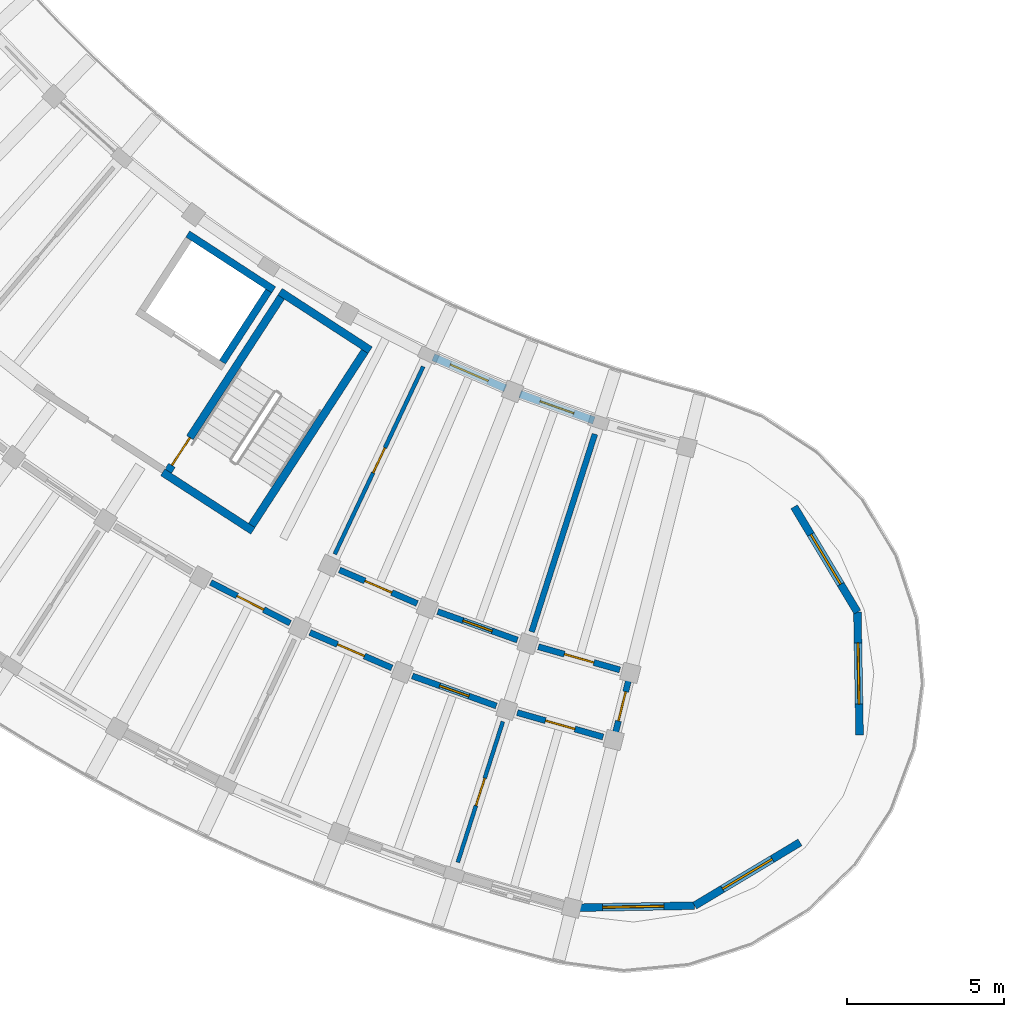
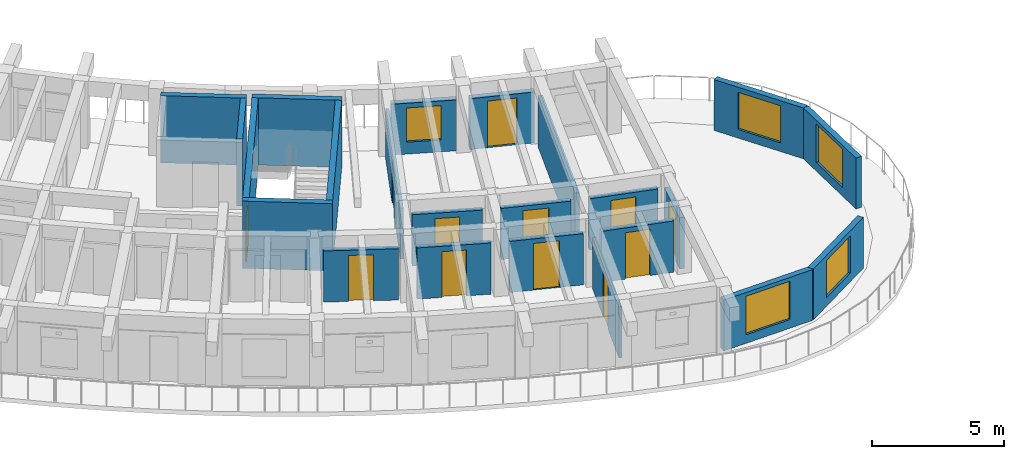
# One storey, part 29 of 69: 23 walls, 12 doors, 5 windows, 17 openings.
"""IFC4 building model written with IfcOpenShell, lengths in metres."""

from ifc_helpers import new_model, si_unit, direction, frame, frame_2d, origin, place, context, subcontext, project, spatial, rectangle, extrude, material, layer, layer_set, type_object, element, fill, save


model = new_model("IFC4")

# Units and contexts
model_context = context("Model", 3, precision=1e-05, world=origin(), true_north=direction((0.0, 1.0)))
body_context = subcontext(model_context, "Body", "Model", "MODEL_VIEW")
ifc_project = project(units=[si_unit("LENGTHUNIT", "METRE"), si_unit("AREAUNIT", "SQUARE_METRE"), si_unit("VOLUMEUNIT", "CUBIC_METRE"), si_unit("PLANEANGLEUNIT", "RADIAN"), si_unit("MASSUNIT", "GRAM", prefix="KILO")], contexts=[model_context])

# Site, building, storey
site_placement = place(None, origin())
site = spatial("IfcSite", under=ifc_project, at=site_placement, CompositionType="ELEMENT")
building_placement = place(site_placement, origin())
building = spatial("IfcBuilding", under=site, at=building_placement, Name="Tanwirah Colonnade Gardens", CompositionType="ELEMENT")
storey_placement = place(building_placement, frame((0.0, 0.0, 15.56005859375)))
storey = spatial("IfcBuildingStorey", under=building, at=storey_placement, Name="L04", CompositionType="ELEMENT", Elevation=15.56005859375)

# Wall, opening, window
ifc_material_1 = material(Name="Limestone architectural precast concrete C40/50", Category="masonry")
ifc_layer_1 = layer(ifc_material_1, 0.2451171875)
ifc_layer_set_1 = layer_set([ifc_layer_1], Name="Limestone architectural precast concrete C40/50")
wall_type_1 = type_object("IfcWallType", Name="EW-PC245", PredefinedType="SOLIDWALL", material=ifc_layer_set_1)
wall_1_placement = place(storey_placement, frame((46.185791015625, 24.2333984375, 0.0), z_axis=(0.0, 0.0, 1.0), x_axis=(0.91795321239, -0.396688668686, 0.0)))
wall_1 = element("IfcWall", 1, at=wall_1_placement, inside=storey, type_object=wall_type_1, Name="Block C L04 IN Precast Facade Wall 13", PredefinedType="SOLIDWALL", context=body_context, shape_type="SweptSolid", body=[
    extrude(rectangle(XDim=2.498779296875, YDim=0.2451171875, at=frame_2d((1.24951171875, 0.0))), origin(), (0.0, 0.0, 1.0), 2.35498046875),
])
opening_1_placement = place(wall_1_placement, frame((0.58935546875, 0.0, 0.550048828125)))
opening_1 = element("IfcOpeningElement", 2, at=opening_1_placement, cuts=wall_1, Name="Opening WIN-U05", PredefinedType="OPENING", context=body_context, shape_type="SweptSolid", body=[
    extrude(rectangle(XDim=1.320068359375, YDim=1.5849609375, at=frame_2d((0.66015625, 0.79248046875))), frame((0.0, 0.132568359375, 0.0), z_axis=(0.0, -1.0, 0.0), x_axis=(1.0, 0.0, 0.0)), (0.0, 0.0, 1.0), 0.26513671875),
])
ifc_material_2 = material(Name="Thermally broken bronze aluminium and solar low-E double glazing", Category="aluminium")
window_type_1 = type_object("IfcWindowType", Name="WIN-U05", PartitioningType="DOUBLE_PANEL_VERTICAL", PredefinedType="WINDOW", material=ifc_material_2)
window_1_placement = place(opening_1_placement, origin())
window_1 = element("IfcWindow", 3, at=window_1_placement, inside=storey, type_object=window_type_1, Name="Facade window C-L04-IN-13", OverallHeight=1.5849609375, OverallWidth=1.320068359375, PartitioningType="SINGLE_PANEL", PredefinedType="WINDOW", context=body_context, shape_type="SweptSolid", body=[
    extrude(rectangle(XDim=1.320068359375, YDim=1.5849609375, at=frame_2d((0.66015625, 0.79248046875))), frame((0.0, 0.030029296875, 0.0), z_axis=(0.0, -1.0, 0.0), x_axis=(1.0, 0.0, 0.0)), (0.0, 0.0, 1.0), 0.06005859375),
])
fill(opening_1, window_1)

# Wall, opening, door
wall_2_placement = place(storey_placement, frame((48.944580078125, 23.05908203125, 0.0), z_axis=(0.0, 0.0, 1.0), x_axis=(0.941892135469, -0.33591547321, 0.0)))
wall_2 = element("IfcWall", 4, at=wall_2_placement, inside=storey, type_object=wall_type_1, Name="Block C L04 IN Precast Facade Wall 14", PredefinedType="SOLIDWALL", context=body_context, shape_type="SweptSolid", body=[
    extrude(rectangle(XDim=2.498779296875, YDim=0.2451171875, at=frame_2d((1.24951171875, 0.0))), origin(), (0.0, 0.0, 1.0), 2.35498046875),
])
opening_2_placement = place(wall_2_placement, frame((0.679443359375, 0.0, 0.0)))
opening_2 = element("IfcOpeningElement", 5, at=opening_2_placement, cuts=wall_2, Name="Opening L04-ED148", PredefinedType="OPENING", context=body_context, shape_type="SweptSolid", body=[
    extrude(rectangle(XDim=1.139892578125, YDim=2.159912109375, at=frame_2d((0.56982421875, 1.080078125))), frame((0.0, 0.132568359375, 0.0), z_axis=(0.0, -1.0, 0.0), x_axis=(1.0, 0.0, 0.0)), (0.0, 0.0, 1.0), 0.26513671875),
])
ifc_material_3 = material(Name="Bronze aluminium glazed balcony door", Category="aluminium")
door_type_1 = type_object("IfcDoorType", Name="ED-BAL114", OperationType="NOTDEFINED", PredefinedType="DOOR", material=ifc_material_3)
door_1_placement = place(opening_2_placement, origin())
door_1 = element("IfcDoor", 6, at=door_1_placement, inside=storey, type_object=door_type_1, Name="Balcony glazed door L04-ED148", OperationType="SINGLE_SWING_LEFT", OverallHeight=2.159912109375, OverallWidth=1.139892578125, PredefinedType="DOOR", context=body_context, shape_type="SweptSolid", body=[
    extrude(rectangle(XDim=1.139892578125, YDim=2.159912109375, at=frame_2d((0.56982421875, 1.080078125))), frame((0.0, 0.02490234375, 0.0), z_axis=(0.0, -1.0, 0.0), x_axis=(1.0, 0.0, 0.0)), (0.0, 0.0, 1.0), 0.050048828125),
])
fill(opening_2, door_1)

# Wall, opening, window
wall_3_placement = place(storey_placement, frame((57.664794921875, 19.4755859375, 0.0), z_axis=(0.0, 0.0, 1.0), x_axis=(0.515019321998, -0.857178568309, 0.0)))
wall_3 = element("IfcWall", 7, at=wall_3_placement, inside=storey, type_object=wall_type_1, Name="Block C L04 END Rounded End Wall 1", PredefinedType="SOLIDWALL", context=body_context, shape_type="SweptSolid", body=[
    extrude(rectangle(XDim=3.907958984375, YDim=0.2451171875, at=frame_2d((1.9541015625, 0.0))), origin(), (0.0, 0.0, 1.0), 2.35498046875),
])
opening_3_placement = place(wall_3_placement, frame((1.029052734375, 0.0, 0.39990234375)))
opening_3 = element("IfcOpeningElement", 8, at=opening_3_placement, cuts=wall_3, Name="Opening WIN-END1", PredefinedType="OPENING", context=body_context, shape_type="SweptSolid", body=[
    extrude(rectangle(XDim=1.85009765625, YDim=1.719970703125, at=frame_2d((0.925048828125, 0.85986328125))), frame((0.0, 0.132568359375, 0.0), z_axis=(0.0, -1.0, 0.0), x_axis=(1.0, 0.0, 0.0)), (0.0, 0.0, 1.0), 0.26513671875),
])
window_type_2 = type_object("IfcWindowType", Name="WIN-END1", PartitioningType="TRIPLE_PANEL_VERTICAL", PredefinedType="WINDOW", material=ifc_material_2)
window_2_placement = place(opening_3_placement, origin())
window_2 = element("IfcWindow", 9, at=window_2_placement, inside=storey, type_object=window_type_2, Name="Rounded corner window C-L04-END-1", OverallHeight=1.719970703125, OverallWidth=1.85009765625, PartitioningType="SINGLE_PANEL", PredefinedType="WINDOW", context=body_context, shape_type="SweptSolid", body=[
    extrude(rectangle(XDim=1.85009765625, YDim=1.719970703125, at=frame_2d((0.925048828125, 0.85986328125))), frame((0.0, 0.030029296875, 0.0), z_axis=(0.0, -1.0, 0.0), x_axis=(1.0, 0.0, 0.0)), (0.0, 0.0, 1.0), 0.06005859375),
])
fill(opening_3, window_2)

wall_4_placement = place(storey_placement, frame((59.677490234375, 16.125732421875, 0.0), z_axis=(0.0, 0.0, 1.0), x_axis=(0.017490763899, -0.999847024888, 0.0)))
wall_4 = element("IfcWall", 10, at=wall_4_placement, inside=storey, type_object=wall_type_1, Name="Block C L04 END Rounded End Wall 2", PredefinedType="SOLIDWALL", context=body_context, shape_type="SweptSolid", body=[
    extrude(rectangle(XDim=3.908203125, YDim=0.2451171875, at=frame_2d((1.9541015625, 0.0))), origin(), (0.0, 0.0, 1.0), 2.35498046875),
])
opening_4_placement = place(wall_4_placement, frame((0.97900390625, 0.0, 0.39990234375)))
opening_4 = element("IfcOpeningElement", 11, at=opening_4_placement, cuts=wall_4, Name="Opening WIN-END2", PredefinedType="OPENING", context=body_context, shape_type="SweptSolid", body=[
    extrude(rectangle(XDim=1.949951171875, YDim=1.780029296875, at=frame_2d((0.97509765625, 0.89013671875))), frame((0.0, 0.132568359375, 0.0), z_axis=(0.0, -1.0, 0.0), x_axis=(1.0, 0.0, 0.0)), (0.0, 0.0, 1.0), 0.26513671875),
])
window_type_3 = type_object("IfcWindowType", Name="WIN-END2", PartitioningType="TRIPLE_PANEL_VERTICAL", PredefinedType="WINDOW", material=ifc_material_2)
window_3_placement = place(opening_4_placement, origin())
window_3 = element("IfcWindow", 12, at=window_3_placement, inside=storey, type_object=window_type_3, Name="Rounded corner window C-L04-END-2", OverallHeight=1.780029296875, OverallWidth=1.949951171875, PartitioningType="SINGLE_PANEL", PredefinedType="WINDOW", context=body_context, shape_type="SweptSolid", body=[
    extrude(rectangle(XDim=1.949951171875, YDim=1.780029296875, at=frame_2d((0.97509765625, 0.89013671875))), frame((0.0, 0.030029296875, 0.0), z_axis=(0.0, -1.0, 0.0), x_axis=(1.0, 0.0, 0.0)), (0.0, 0.0, 1.0), 0.06005859375),
])
fill(opening_4, window_3)

wall_5_placement = place(storey_placement, frame((57.85107421875, 8.800048828125, 0.0), z_axis=(0.0, 0.0, 1.0), x_axis=(-0.85715098885, -0.515065221417, 0.0)))
wall_5 = element("IfcWall", 13, at=wall_5_placement, inside=storey, type_object=wall_type_1, Name="Block C L04 END Rounded End Wall 4", PredefinedType="SOLIDWALL", context=body_context, shape_type="SweptSolid", body=[
    extrude(rectangle(XDim=3.908203125, YDim=0.2451171875, at=frame_2d((1.9541015625, 0.0))), origin(), (0.0, 0.0, 1.0), 2.35498046875),
])
opening_5_placement = place(wall_5_placement, frame((1.029052734375, 0.0, 0.39990234375)))
opening_5 = element("IfcOpeningElement", 14, at=opening_5_placement, cuts=wall_5, Name="Opening WIN-END1", PredefinedType="OPENING", context=body_context, shape_type="SweptSolid", body=[
    extrude(rectangle(XDim=1.85009765625, YDim=1.719970703125, at=frame_2d((0.925048828125, 0.85986328125))), frame((0.0, 0.132568359375, 0.0), z_axis=(0.0, -1.0, 0.0), x_axis=(1.0, 0.0, 0.0)), (0.0, 0.0, 1.0), 0.26513671875),
])
window_4_placement = place(opening_5_placement, origin())
window_4 = element("IfcWindow", 15, at=window_4_placement, inside=storey, type_object=window_type_2, Name="Rounded corner window C-L04-END-4", OverallHeight=1.719970703125, OverallWidth=1.85009765625, PartitioningType="SINGLE_PANEL", PredefinedType="WINDOW", context=body_context, shape_type="SweptSolid", body=[
    extrude(rectangle(XDim=1.85009765625, YDim=1.719970703125, at=frame_2d((0.925048828125, 0.85986328125))), frame((0.0, 0.030029296875, 0.0), z_axis=(0.0, -1.0, 0.0), x_axis=(1.0, 0.0, 0.0)), (0.0, 0.0, 1.0), 0.06005859375),
])
fill(opening_5, window_4)

wall_6_placement = place(storey_placement, frame((54.501220703125, 6.787109375, 0.0), z_axis=(0.0, 0.0, 1.0), x_axis=(-0.999848115368, -0.017428315893, 0.0)))
wall_6 = element("IfcWall", 16, at=wall_6_placement, inside=storey, type_object=wall_type_1, Name="Block C L04 END Rounded End Wall 5", PredefinedType="SOLIDWALL", context=body_context, shape_type="SweptSolid", body=[
    extrude(rectangle(XDim=3.908203125, YDim=0.2451171875, at=frame_2d((1.9541015625, 0.0))), origin(), (0.0, 0.0, 1.0), 2.35498046875),
])
opening_6_placement = place(wall_6_placement, frame((0.97900390625, 0.0, 0.39990234375)))
opening_6 = element("IfcOpeningElement", 17, at=opening_6_placement, cuts=wall_6, Name="Opening WIN-END2", PredefinedType="OPENING", context=body_context, shape_type="SweptSolid", body=[
    extrude(rectangle(XDim=1.949951171875, YDim=1.780029296875, at=frame_2d((0.97509765625, 0.89013671875))), frame((0.0, 0.132568359375, 0.0), z_axis=(0.0, -1.0, 0.0), x_axis=(1.0, 0.0, 0.0)), (0.0, 0.0, 1.0), 0.26513671875),
])
window_5_placement = place(opening_6_placement, origin())
window_5 = element("IfcWindow", 18, at=window_5_placement, inside=storey, type_object=window_type_3, Name="Rounded corner window C-L04-END-5", OverallHeight=1.780029296875, OverallWidth=1.949951171875, PartitioningType="SINGLE_PANEL", PredefinedType="WINDOW", context=body_context, shape_type="SweptSolid", body=[
    extrude(rectangle(XDim=1.949951171875, YDim=1.780029296875, at=frame_2d((0.97509765625, 0.89013671875))), frame((0.0, 0.030029296875, 0.0), z_axis=(0.0, -1.0, 0.0), x_axis=(1.0, 0.0, 0.0)), (0.0, 0.0, 1.0), 0.06005859375),
])
fill(opening_6, window_5)

# Wall, opening, door
ifc_material_4 = material(Name="Precast concrete C40/50", Category="concrete")
ifc_layer_2 = layer(ifc_material_4, 0.195068359375)
ifc_layer_set_2 = layer_set([ifc_layer_2], Name="Precast concrete C40/50")
wall_type_2 = type_object("IfcWallType", Name="IW-CORR195", PredefinedType="PARTITIONING", material=ifc_layer_set_2)
wall_7_placement = place(storey_placement, frame((39.107421875, 17.067138671875, 0.0), z_axis=(0.0, 0.0, 1.0), x_axis=(0.890030590607, -0.45590080915, 0.0)))
wall_7 = element("IfcWall", 19, at=wall_7_placement, inside=storey, type_object=wall_type_2, Name="Block C L04 OUT Corridor Wall 12", PredefinedType="PARTITIONING", context=body_context, shape_type="SweptSolid", body=[
    extrude(rectangle(XDim=2.837158203125, YDim=0.195068359375, at=frame_2d((1.41845703125, 0.0))), origin(), (0.0, 0.0, 1.0), 2.369873046875),
])
opening_7_placement = place(wall_7_placement, frame((0.943603515625, 0.0, 0.0)))
opening_7 = element("IfcOpeningElement", 20, at=opening_7_placement, cuts=wall_7, Name="Opening L04-AD1455", PredefinedType="OPENING", context=body_context, shape_type="SweptSolid", body=[
    extrude(rectangle(XDim=0.949951171875, YDim=2.1298828125, at=frame_2d((0.47509765625, 1.06494140625))), frame((0.0, 0.107421875, 0.0), z_axis=(0.0, -1.0, 0.0), x_axis=(1.0, 0.0, 0.0)), (0.0, 0.0, 1.0), 0.215087890625),
])
ifc_material_5 = material(Name="Solid oak fire-resisting apartment entrance door")
door_type_2 = type_object("IfcDoorType", Name="ID-FLT095", OperationType="NOTDEFINED", PredefinedType="DOOR", material=ifc_material_5)
door_2_placement = place(opening_7_placement, origin())
door_2 = element("IfcDoor", 21, at=door_2_placement, inside=storey, type_object=door_type_2, Name="Apartment corridor door L04-AD1455", OperationType="SINGLE_SWING_LEFT", OverallHeight=2.1298828125, OverallWidth=0.949951171875, PredefinedType="DOOR", context=body_context, shape_type="SweptSolid", body=[
    extrude(rectangle(XDim=0.949951171875, YDim=2.1298828125, at=frame_2d((0.47509765625, 1.06494140625))), frame((0.0, 0.02490234375, 0.0), z_axis=(0.0, -1.0, 0.0), x_axis=(1.0, 0.0, 0.0)), (0.0, 0.0, 1.0), 0.050048828125),
])
fill(opening_7, door_2)

wall_8_placement = place(storey_placement, frame((42.26513671875, 15.475341796875, 0.0), z_axis=(0.0, 0.0, 1.0), x_axis=(0.917943439406, -0.396711282991, 0.0)))
wall_8 = element("IfcWall", 22, at=wall_8_placement, inside=storey, type_object=wall_type_2, Name="Block C L04 OUT Corridor Wall 13", PredefinedType="PARTITIONING", context=body_context, shape_type="SweptSolid", body=[
    extrude(rectangle(XDim=2.837158203125, YDim=0.195068359375, at=frame_2d((1.41845703125, 0.0))), origin(), (0.0, 0.0, 1.0), 2.369873046875),
])
opening_8_placement = place(wall_8_placement, frame((0.95361328125, 0.0, 0.0)))
opening_8 = element("IfcOpeningElement", 23, at=opening_8_placement, cuts=wall_8, Name="Opening L04-AD1458", PredefinedType="OPENING", context=body_context, shape_type="SweptSolid", body=[
    extrude(rectangle(XDim=0.929931640625, YDim=2.1201171875, at=frame_2d((0.46484375, 1.06005859375))), frame((0.0, 0.107421875, 0.0), z_axis=(0.0, -1.0, 0.0), x_axis=(1.0, 0.0, 0.0)), (0.0, 0.0, 1.0), 0.215087890625),
])
door_type_3 = type_object("IfcDoorType", Name="ID-FLT093", OperationType="NOTDEFINED", PredefinedType="DOOR", material=ifc_material_5)
door_3_placement = place(opening_8_placement, origin())
door_3 = element("IfcDoor", 24, at=door_3_placement, inside=storey, type_object=door_type_3, Name="Apartment corridor door L04-AD1458", OperationType="SINGLE_SWING_RIGHT", OverallHeight=2.1201171875, OverallWidth=0.929931640625, PredefinedType="DOOR", context=body_context, shape_type="SweptSolid", body=[
    extrude(rectangle(XDim=0.929931640625, YDim=2.1201171875, at=frame_2d((0.46484375, 1.06005859375))), frame((0.0, 0.02490234375, 0.0), z_axis=(0.0, -1.0, 0.0), x_axis=(1.0, 0.0, 0.0)), (0.0, 0.0, 1.0), 0.050048828125),
])
fill(opening_8, door_3)

wall_9_placement = place(storey_placement, frame((43.20361328125, 17.465087890625, 0.0), z_axis=(0.0, 0.0, 1.0), x_axis=(0.91793557165, -0.39672948756, 0.0)))
wall_9 = element("IfcWall", 25, at=wall_9_placement, inside=storey, type_object=wall_type_2, Name="Block C L04 IN Corridor Wall 13", PredefinedType="PARTITIONING", context=body_context, shape_type="SweptSolid", body=[
    extrude(rectangle(XDim=2.69287109375, YDim=0.195068359375, at=frame_2d((1.346435546875, 0.0))), origin(), (0.0, 0.0, 1.0), 2.369873046875),
])
opening_9_placement = place(wall_9_placement, frame((0.881591796875, 0.0, 0.0)))
opening_9 = element("IfcOpeningElement", 26, at=opening_9_placement, cuts=wall_9, Name="Opening L04-AD1459", PredefinedType="OPENING", context=body_context, shape_type="SweptSolid", body=[
    extrude(rectangle(XDim=0.929931640625, YDim=2.1201171875, at=frame_2d((0.46484375, 1.06005859375))), frame((0.0, 0.107421875, 0.0), z_axis=(0.0, -1.0, 0.0), x_axis=(1.0, 0.0, 0.0)), (0.0, 0.0, 1.0), 0.215087890625),
])
door_4_placement = place(opening_9_placement, origin())
door_4 = element("IfcDoor", 27, at=door_4_placement, inside=storey, type_object=door_type_3, Name="Apartment corridor door L04-AD1459", OperationType="SINGLE_SWING_LEFT", OverallHeight=2.1201171875, OverallWidth=0.929931640625, PredefinedType="DOOR", context=body_context, shape_type="SweptSolid", body=[
    extrude(rectangle(XDim=0.929931640625, YDim=2.1201171875, at=frame_2d((0.46484375, 1.06005859375))), frame((0.0, 0.02490234375, 0.0), z_axis=(0.0, -1.0, 0.0), x_axis=(1.0, 0.0, 0.0)), (0.0, 0.0, 1.0), 0.050048828125),
])
fill(opening_9, door_4)

wall_10_placement = place(storey_placement, frame((45.520263671875, 14.09326171875, 0.0), z_axis=(0.0, 0.0, 1.0), x_axis=(0.941930628611, -0.335807520589, 0.0)))
wall_10 = element("IfcWall", 28, at=wall_10_placement, inside=storey, type_object=wall_type_2, Name="Block C L04 OUT Corridor Wall 14", PredefinedType="PARTITIONING", context=body_context, shape_type="SweptSolid", body=[
    extrude(rectangle(XDim=2.8369140625, YDim=0.195068359375, at=frame_2d((1.41845703125, 0.0))), origin(), (0.0, 0.0, 1.0), 2.369873046875),
])
opening_10_placement = place(wall_10_placement, frame((0.923583984375, 0.0, 0.0)))
opening_10 = element("IfcOpeningElement", 29, at=opening_10_placement, cuts=wall_10, Name="Opening L04-AD1460", PredefinedType="OPENING", context=body_context, shape_type="SweptSolid", body=[
    extrude(rectangle(XDim=0.989990234375, YDim=2.159912109375, at=frame_2d((0.4951171875, 1.080078125))), frame((0.0, 0.107421875, 0.0), z_axis=(0.0, -1.0, 0.0), x_axis=(1.0, 0.0, 0.0)), (0.0, 0.0, 1.0), 0.215087890625),
])
door_type_4 = type_object("IfcDoorType", Name="ID-FLT099", OperationType="NOTDEFINED", PredefinedType="DOOR", material=ifc_material_5)
door_5_placement = place(opening_10_placement, origin())
door_5 = element("IfcDoor", 30, at=door_5_placement, inside=storey, type_object=door_type_4, Name="Apartment corridor door L04-AD1460", OperationType="SINGLE_SWING_LEFT", OverallHeight=2.159912109375, OverallWidth=0.989990234375, PredefinedType="DOOR", context=body_context, shape_type="SweptSolid", body=[
    extrude(rectangle(XDim=0.989990234375, YDim=2.159912109375, at=frame_2d((0.4951171875, 1.080078125))), frame((0.0, 0.02490234375, 0.0), z_axis=(0.0, -1.0, 0.0), x_axis=(1.0, 0.0, 0.0)), (0.0, 0.0, 1.0), 0.050048828125),
])
fill(opening_10, door_5)

wall_11_placement = place(storey_placement, frame((46.32666015625, 16.140380859375, 0.0), z_axis=(0.0, 0.0, 1.0), x_axis=(0.941895652647, -0.335905611036, 0.0)))
wall_11 = element("IfcWall", 31, at=wall_11_placement, inside=storey, type_object=wall_type_2, Name="Block C L04 IN Corridor Wall 14", PredefinedType="PARTITIONING", context=body_context, shape_type="SweptSolid", body=[
    extrude(rectangle(XDim=2.69287109375, YDim=0.195068359375, at=frame_2d((1.346435546875, 0.0))), origin(), (0.0, 0.0, 1.0), 2.369873046875),
])
opening_11_placement = place(wall_11_placement, frame((0.8515625, 0.0, 0.0)))
opening_11 = element("IfcOpeningElement", 32, at=opening_11_placement, cuts=wall_11, Name="Opening L04-AD1461", PredefinedType="OPENING", context=body_context, shape_type="SweptSolid", body=[
    extrude(rectangle(XDim=0.989990234375, YDim=2.159912109375, at=frame_2d((0.4951171875, 1.080078125))), frame((0.0, 0.107421875, 0.0), z_axis=(0.0, -1.0, 0.0), x_axis=(1.0, 0.0, 0.0)), (0.0, 0.0, 1.0), 0.215087890625),
])
door_6_placement = place(opening_11_placement, origin())
door_6 = element("IfcDoor", 33, at=door_6_placement, inside=storey, type_object=door_type_4, Name="Apartment corridor door L04-AD1461", OperationType="SINGLE_SWING_RIGHT", OverallHeight=2.159912109375, OverallWidth=0.989990234375, PredefinedType="DOOR", context=body_context, shape_type="SweptSolid", body=[
    extrude(rectangle(XDim=0.989990234375, YDim=2.159912109375, at=frame_2d((0.4951171875, 1.080078125))), frame((0.0, 0.02490234375, 0.0), z_axis=(0.0, -1.0, 0.0), x_axis=(1.0, 0.0, 0.0)), (0.0, 0.0, 1.0), 0.050048828125),
])
fill(opening_11, door_6)

wall_12_placement = place(storey_placement, frame((48.858642578125, 12.92724609375, 0.0), z_axis=(0.0, 0.0, 1.0), x_axis=(0.961873892319, -0.273493355085, 0.0)))
wall_12 = element("IfcWall", 34, at=wall_12_placement, inside=storey, type_object=wall_type_2, Name="Block C L04 OUT Corridor Wall 15", PredefinedType="PARTITIONING", context=body_context, shape_type="SweptSolid", body=[
    extrude(rectangle(XDim=2.8369140625, YDim=0.195068359375, at=frame_2d((1.41845703125, 0.0))), origin(), (0.0, 0.0, 1.0), 2.369873046875),
])
opening_12_placement = place(wall_12_placement, frame((0.93359375, 0.0, 0.0)))
opening_12 = element("IfcOpeningElement", 35, at=opening_12_placement, cuts=wall_12, Name="Opening L04-AD1463", PredefinedType="OPENING", context=body_context, shape_type="SweptSolid", body=[
    extrude(rectangle(XDim=0.969970703125, YDim=2.14990234375, at=frame_2d((0.48486328125, 1.074951171875))), frame((0.0, 0.107421875, 0.0), z_axis=(0.0, -1.0, 0.0), x_axis=(1.0, 0.0, 0.0)), (0.0, 0.0, 1.0), 0.215087890625),
])
door_type_5 = type_object("IfcDoorType", Name="ID-FLT097", OperationType="NOTDEFINED", PredefinedType="DOOR", material=ifc_material_5)
door_7_placement = place(opening_12_placement, origin())
door_7 = element("IfcDoor", 36, at=door_7_placement, inside=storey, type_object=door_type_5, Name="Apartment corridor door L04-AD1463", OperationType="SINGLE_SWING_RIGHT", OverallHeight=2.14990234375, OverallWidth=0.969970703125, PredefinedType="DOOR", context=body_context, shape_type="SweptSolid", body=[
    extrude(rectangle(XDim=0.969970703125, YDim=2.14990234375, at=frame_2d((0.48486328125, 1.074951171875))), frame((0.0, 0.02490234375, 0.0), z_axis=(0.0, -1.0, 0.0), x_axis=(1.0, 0.0, 0.0)), (0.0, 0.0, 1.0), 0.050048828125),
])
fill(opening_12, door_7)

wall_13_placement = place(storey_placement, frame((49.529541015625, 15.0224609375, 0.0), z_axis=(0.0, 0.0, 1.0), x_axis=(0.961861926514, -0.273535435224, 0.0)))
wall_13 = element("IfcWall", 37, at=wall_13_placement, inside=storey, type_object=wall_type_2, Name="Block C L04 IN Corridor Wall 15", PredefinedType="PARTITIONING", context=body_context, shape_type="SweptSolid", body=[
    extrude(rectangle(XDim=2.69287109375, YDim=0.195068359375, at=frame_2d((1.346435546875, 0.0))), origin(), (0.0, 0.0, 1.0), 2.369873046875),
])
opening_13_placement = place(wall_13_placement, frame((0.861572265625, 0.0, 0.0)))
opening_13 = element("IfcOpeningElement", 38, at=opening_13_placement, cuts=wall_13, Name="Opening L04-AD1464", PredefinedType="OPENING", context=body_context, shape_type="SweptSolid", body=[
    extrude(rectangle(XDim=0.969970703125, YDim=2.14990234375, at=frame_2d((0.48486328125, 1.074951171875))), frame((0.0, 0.107421875, 0.0), z_axis=(0.0, -1.0, 0.0), x_axis=(1.0, 0.0, 0.0)), (0.0, 0.0, 1.0), 0.215087890625),
])
door_8_placement = place(opening_13_placement, origin())
door_8 = element("IfcDoor", 39, at=door_8_placement, inside=storey, type_object=door_type_5, Name="Apartment corridor door L04-AD1464", OperationType="SINGLE_SWING_LEFT", OverallHeight=2.14990234375, OverallWidth=0.969970703125, PredefinedType="DOOR", context=body_context, shape_type="SweptSolid", body=[
    extrude(rectangle(XDim=0.969970703125, YDim=2.14990234375, at=frame_2d((0.48486328125, 1.074951171875))), frame((0.0, 0.02490234375, 0.0), z_axis=(0.0, -1.0, 0.0), x_axis=(1.0, 0.0, 0.0)), (0.0, 0.0, 1.0), 0.050048828125),
])
fill(opening_13, door_8)

wall_14_placement = place(storey_placement, frame((52.4443359375, 14.1416015625, 0.0), z_axis=(0.0, 0.0, 1.0), x_axis=(-0.241933770084, -0.970292765557, 0.0)))
wall_14 = element("IfcWall", 40, at=wall_14_placement, inside=storey, type_object=wall_type_2, Name="Block C L04 CE Corner Suite Corridor Wall", PredefinedType="PARTITIONING", context=body_context, shape_type="SweptSolid", body=[
    extrude(rectangle(XDim=2.10009765625, YDim=0.195068359375, at=frame_2d((1.050048828125, 0.0))), origin(), (0.0, 0.0, 1.0), 2.369873046875),
])
opening_14_placement = place(wall_14_placement, frame((0.570068359375, 0.0, 0.0)))
opening_14 = element("IfcOpeningElement", 41, at=opening_14_placement, cuts=wall_14, Name="Opening L04-CD1466", PredefinedType="OPENING", context=body_context, shape_type="SweptSolid", body=[
    extrude(rectangle(XDim=0.949951171875, YDim=2.1298828125, at=frame_2d((0.47509765625, 1.06494140625))), frame((0.0, 0.107421875, 0.0), z_axis=(0.0, -1.0, 0.0), x_axis=(1.0, 0.0, 0.0)), (0.0, 0.0, 1.0), 0.215087890625),
])
door_9_placement = place(opening_14_placement, origin())
door_9 = element("IfcDoor", 42, at=door_9_placement, inside=storey, type_object=door_type_2, Name="Corner suite entrance door L04-CD1466", OperationType="SINGLE_SWING_RIGHT", OverallHeight=2.1298828125, OverallWidth=0.949951171875, PredefinedType="DOOR", context=body_context, shape_type="SweptSolid", body=[
    extrude(rectangle(XDim=0.949951171875, YDim=2.1298828125, at=frame_2d((0.47509765625, 1.06494140625))), frame((0.0, 0.02490234375, 0.0), z_axis=(0.0, -1.0, 0.0), x_axis=(1.0, 0.0, 0.0)), (0.0, 0.0, 1.0), 0.050048828125),
])
fill(opening_14, door_9)

# Wall
ifc_layer_3 = layer(ifc_material_4, 0.18505859375)
ifc_layer_set_3 = layer_set([ifc_layer_3], Name="Precast concrete C40/50")
wall_type_3 = type_object("IfcWallType", Name="IW-DEM185", PredefinedType="PARTITIONING", material=ifc_layer_set_3)
wall_15_placement = place(storey_placement, frame((51.326904296875, 21.78515625, 0.0), z_axis=(0.0, 0.0, 1.0), x_axis=(-0.304875046605, -0.95239235925, 0.0)))
element("IfcWall", 43, at=wall_15_placement, inside=storey, type_object=wall_type_3, Name="Block C L04 Inner Radial Partition 14", PredefinedType="PARTITIONING", context=body_context, shape_type="SweptSolid", body=[
    extrude(rectangle(XDim=6.60009765625, YDim=0.18505859375, at=frame_2d((3.300048828125, 0.0))), origin(), (0.0, 0.0, 1.0), 2.369873046875),
])

# Wall, opening, door
ifc_material_6 = material(Name="Moisture-resistant gypsum stud partition")
ifc_layer_4 = layer(ifc_material_6, 0.125)
ifc_layer_set_4 = layer_set([ifc_layer_4], Name="Moisture-resistant gypsum stud partition")
wall_type_4 = type_object("IfcWallType", Name="IW-INT125", PredefinedType="PARTITIONING", material=ifc_layer_set_4)
wall_16_placement = place(storey_placement, frame((45.868408203125, 23.935302734375, 0.0), z_axis=(0.0, 0.0, 1.0), x_axis=(-0.426573573579, -0.904452865728, 0.0)))
wall_16 = element("IfcWall", 44, at=wall_16_placement, inside=storey, type_object=wall_type_4, Name="Block C L04 Inner Radial Partition 12", PredefinedType="PARTITIONING", context=body_context, shape_type="SweptSolid", body=[
    extrude(rectangle(XDim=6.60009765625, YDim=0.125, at=frame_2d((3.300048828125, 0.0))), origin(), (0.0, 0.0, 1.0), 2.369873046875),
])
opening_15_placement = place(wall_16_placement, frame((2.864990234375, 0.0, 0.0)))
opening_15 = element("IfcOpeningElement", 45, at=opening_15_placement, cuts=wall_16, Name="Opening L04-RD1457", PredefinedType="OPENING", context=body_context, shape_type="SweptSolid", body=[
    extrude(rectangle(XDim=0.8701171875, YDim=2.080078125, at=frame_2d((0.43505859375, 1.0400390625))), frame((0.0, 0.072509765625, 0.0), z_axis=(0.0, -1.0, 0.0), x_axis=(1.0, 0.0, 0.0)), (0.0, 0.0, 1.0), 0.14501953125),
])
ifc_material_7 = material(Name="Painted hardwood study door", Category="wood")
door_type_6 = type_object("IfcDoorType", Name="ID-RM087", OperationType="NOTDEFINED", PredefinedType="DOOR", material=ifc_material_7)
door_10_placement = place(opening_15_placement, origin())
door_10 = element("IfcDoor", 46, at=door_10_placement, inside=storey, type_object=door_type_6, Name="Internal apartment door L04-RD1457", OperationType="SINGLE_SWING_RIGHT", OverallHeight=2.080078125, OverallWidth=0.8701171875, PredefinedType="DOOR", context=body_context, shape_type="SweptSolid", body=[
    extrude(rectangle(XDim=0.8701171875, YDim=2.080078125, at=frame_2d((0.43505859375, 1.0400390625))), frame((0.0, 0.02490234375, 0.0), z_axis=(0.0, -1.0, 0.0), x_axis=(1.0, 0.0, 0.0)), (0.0, 0.0, 1.0), 0.050048828125),
])
fill(opening_15, door_10)

wall_17_placement = place(storey_placement, frame((48.400146484375, 12.64208984375, 0.0), z_axis=(0.0, 0.0, 1.0), x_axis=(-0.304860540454, -0.952397002764, 0.0)))
wall_17 = element("IfcWall", 47, at=wall_17_placement, inside=storey, type_object=wall_type_4, Name="Block C L04 Radial Partition 14", PredefinedType="PARTITIONING", context=body_context, shape_type="SweptSolid", body=[
    extrude(rectangle(XDim=4.699951171875, YDim=0.125, at=frame_2d((2.35009765625, 0.0))), origin(), (0.0, 0.0, 1.0), 2.369873046875),
])
opening_16_placement = place(wall_17_placement, frame((1.89501953125, 0.0, 0.0)))
opening_16 = element("IfcOpeningElement", 48, at=opening_16_placement, cuts=wall_17, Name="Opening L04-RD1462", PredefinedType="OPENING", context=body_context, shape_type="SweptSolid", body=[
    extrude(rectangle(XDim=0.909912109375, YDim=2.10009765625, at=frame_2d((0.455078125, 1.050048828125))), frame((0.0, 0.072509765625, 0.0), z_axis=(0.0, -1.0, 0.0), x_axis=(1.0, 0.0, 0.0)), (0.0, 0.0, 1.0), 0.14501953125),
])
ifc_material_8 = material(Name="Painted hardwood internal room door", Category="wood")
door_type_7 = type_object("IfcDoorType", Name="ID-RM091", OperationType="NOTDEFINED", PredefinedType="DOOR", material=ifc_material_8)
door_11_placement = place(opening_16_placement, origin())
door_11 = element("IfcDoor", 49, at=door_11_placement, inside=storey, type_object=door_type_7, Name="Internal apartment door L04-RD1462", OperationType="SINGLE_SWING_LEFT", OverallHeight=2.10009765625, OverallWidth=0.909912109375, PredefinedType="DOOR", context=body_context, shape_type="SweptSolid", body=[
    extrude(rectangle(XDim=0.909912109375, YDim=2.10009765625, at=frame_2d((0.455078125, 1.050048828125))), frame((0.0, 0.02490234375, 0.0), z_axis=(0.0, -1.0, 0.0), x_axis=(1.0, 0.0, 0.0)), (0.0, 0.0, 1.0), 0.050048828125),
])
fill(opening_16, door_11)

# Walls
ifc_material_9 = material(Name="Concrete C45/55", Category="concrete")
ifc_layer_5 = layer(ifc_material_9, 0.25)
ifc_layer_set_5 = layer_set([ifc_layer_5], Name="Concrete C45/55")
wall_type_5 = type_object("IfcWallType", Name="SW-CORE250", PredefinedType="SHEAR", material=ifc_layer_set_5)
wall_18_placement = place(storey_placement, frame((40.412841796875, 18.881591796875, 0.0), z_axis=(0.0, 0.0, 1.0), x_axis=(0.544629435258, 0.838676802022, 0.0)))
element("IfcWall", 50, at=wall_18_placement, inside=storey, type_object=wall_type_5, Name="CORE-C2 L04 Stair Shaft Shear Wall LEFT", PredefinedType="SHEAR", context=body_context, shape_type="SweptSolid", body=[
    extrude(rectangle(XDim=6.599853515625, YDim=0.25, at=frame_2d((3.2998046875, 0.0))), origin(), (0.0, 0.0, 1.0), 3.10986328125),
])
wall_19_placement = place(storey_placement, frame((44.180419921875, 24.45361328125, 0.0), z_axis=(0.0, 0.0, 1.0), x_axis=(-0.838699580527, 0.544594356953, 0.0)))
element("IfcWall", 51, at=wall_19_placement, inside=storey, type_object=wall_type_5, Name="CORE-C2 L04 Stair Shaft Shear Wall FAR", PredefinedType="SHEAR", context=body_context, shape_type="SweptSolid", body=[
    extrude(rectangle(XDim=3.420166015625, YDim=0.25, at=frame_2d((1.7099609375, 0.0))), origin(), (0.0, 0.0, 1.0), 3.10986328125),
])
wall_20_placement = place(storey_placement, frame((40.449462890625, 18.708740234375, 0.0), z_axis=(0.0, 0.0, 1.0), x_axis=(-0.838678407117, 0.544626963559, 0.0)))
element("IfcWall", 52, at=wall_20_placement, inside=storey, type_object=wall_type_5, Name="CORE-C2 L04 Stair Shaft Shear Wall NEAR", PredefinedType="SHEAR", context=body_context, shape_type="SweptSolid", body=[
    extrude(rectangle(XDim=3.419921875, YDim=0.25, at=frame_2d((1.7099609375, 0.0))), origin(), (0.0, 0.0, 1.0), 3.10986328125),
])

# Wall, opening, door
wall_21_placement = place(storey_placement, frame((37.754150390625, 20.608154296875, 0.0), z_axis=(0.0, 0.0, 1.0), x_axis=(0.544655453679, 0.838659905312, 0.0)))
wall_21 = element("IfcWall", 53, at=wall_21_placement, inside=storey, type_object=wall_type_5, Name="CORE-C2 L04 Stair Shaft Shear Wall RIGHT", PredefinedType="SHEAR", context=body_context, shape_type="SweptSolid", body=[
    extrude(rectangle(XDim=6.60009765625, YDim=0.25, at=frame_2d((3.300048828125, 0.0))), origin(), (0.0, 0.0, 1.0), 3.10986328125),
])
opening_17_placement = place(wall_21_placement, frame((0.219970703125, 0.0, 0.0)))
opening_17 = element("IfcOpeningElement", 54, at=opening_17_placement, cuts=wall_21, Name="Opening L04-SD150", PredefinedType="OPENING", context=body_context, shape_type="SweptSolid", body=[
    extrude(rectangle(XDim=1.050048828125, YDim=2.14990234375, at=frame_2d((0.52490234375, 1.074951171875))), frame((0.0, 0.135009765625, 0.0), z_axis=(0.0, -1.0, 0.0), x_axis=(1.0, 0.0, 0.0)), (0.0, 0.0, 1.0), 0.27001953125),
])
ifc_material_10 = material(Name="Steel fire-resisting stair enclosure door", Category="steel")
door_type_8 = type_object("IfcDoorType", Name="ID-ST105", OperationType="NOTDEFINED", PredefinedType="DOOR", material=ifc_material_10)
door_12_placement = place(opening_17_placement, origin())
door_12 = element("IfcDoor", 55, at=door_12_placement, inside=storey, type_object=door_type_8, Name="CORE-C2 L04 Stair Fire Door L04-SD150", OperationType="SINGLE_SWING_LEFT", OverallHeight=2.14990234375, OverallWidth=1.050048828125, PredefinedType="DOOR", context=body_context, shape_type="SweptSolid", body=[
    extrude(rectangle(XDim=1.050048828125, YDim=2.14990234375, at=frame_2d((0.52490234375, 1.074951171875))), frame((0.0, 0.02490234375, 0.0), z_axis=(0.0, -1.0, 0.0), x_axis=(1.0, 0.0, 0.0)), (0.0, 0.0, 1.0), 0.050048828125),
])
fill(opening_17, door_12)

# Walls
ifc_layer_6 = layer(ifc_material_9, 0.22998046875)
ifc_layer_set_6 = layer_set([ifc_layer_6], Name="Concrete C45/55")
wall_type_6 = type_object("IfcWallType", Name="SW-LIFT230", PredefinedType="SHEAR", material=ifc_layer_set_6)
wall_22_placement = place(storey_placement, frame((41.111572265625, 26.374755859375, 0.0), z_axis=(0.0, 0.0, 1.0), x_axis=(-0.838638623546, 0.544688221919, 0.0)))
element("IfcWall", 56, at=wall_22_placement, inside=storey, type_object=wall_type_6, Name="CORE-C2 L04 Lift Shaft Wall BACK", PredefinedType="SHEAR", context=body_context, shape_type="SweptSolid", body=[
    extrude(rectangle(XDim=3.260009765625, YDim=0.22998046875, at=frame_2d((1.6298828125, 0.0))), origin(), (0.0, 0.0, 1.0), 3.10986328125),
])
wall_23_placement = place(storey_placement, frame((39.48193359375, 24.07666015625, 0.0), z_axis=(0.0, 0.0, 1.0), x_axis=(0.544686387605, 0.838639814913, 0.0)))
element("IfcWall", 57, at=wall_23_placement, inside=storey, type_object=wall_type_6, Name="CORE-C2 L04 Lift Shaft Wall SIDEA", PredefinedType="SHEAR", context=body_context, shape_type="SweptSolid", body=[
    extrude(rectangle(XDim=2.7001953125, YDim=0.22998046875, at=frame_2d((1.35009765625, 0.0))), origin(), (0.0, 0.0, 1.0), 3.10986328125),
])

save(model, "model.ifc")
